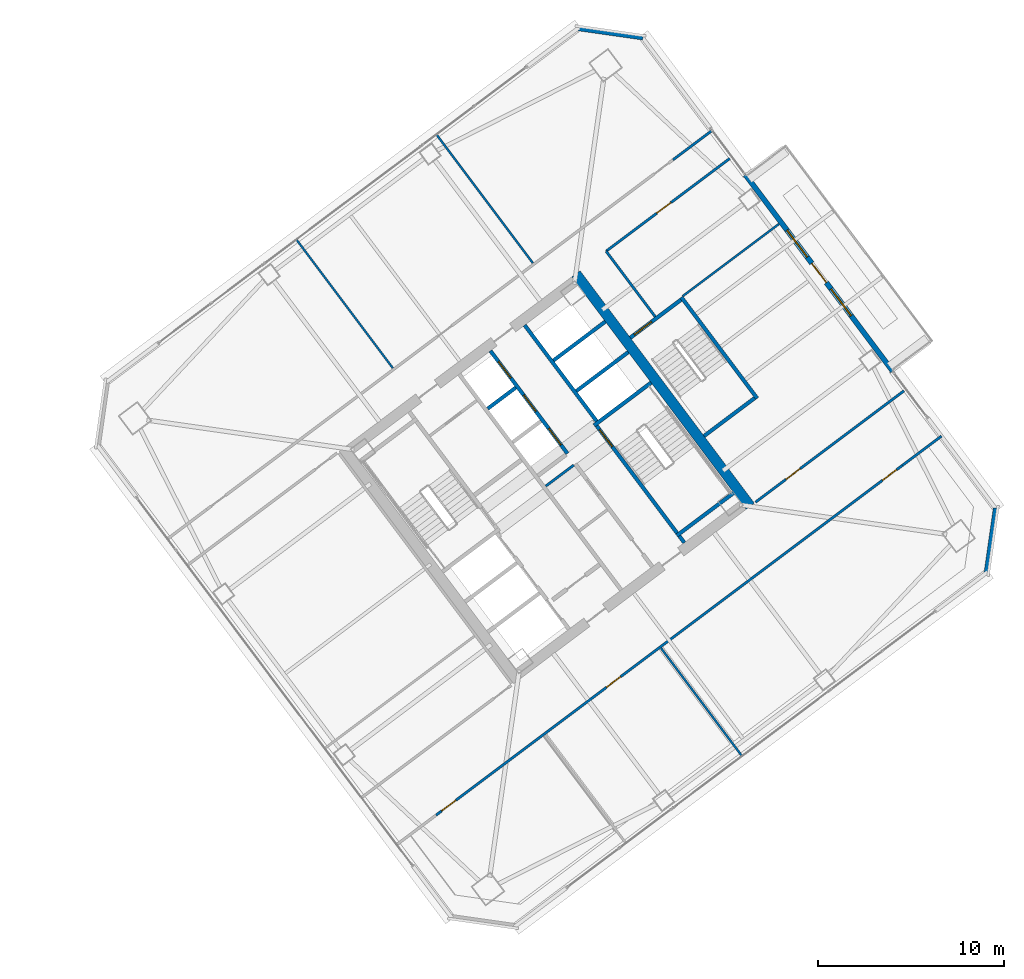
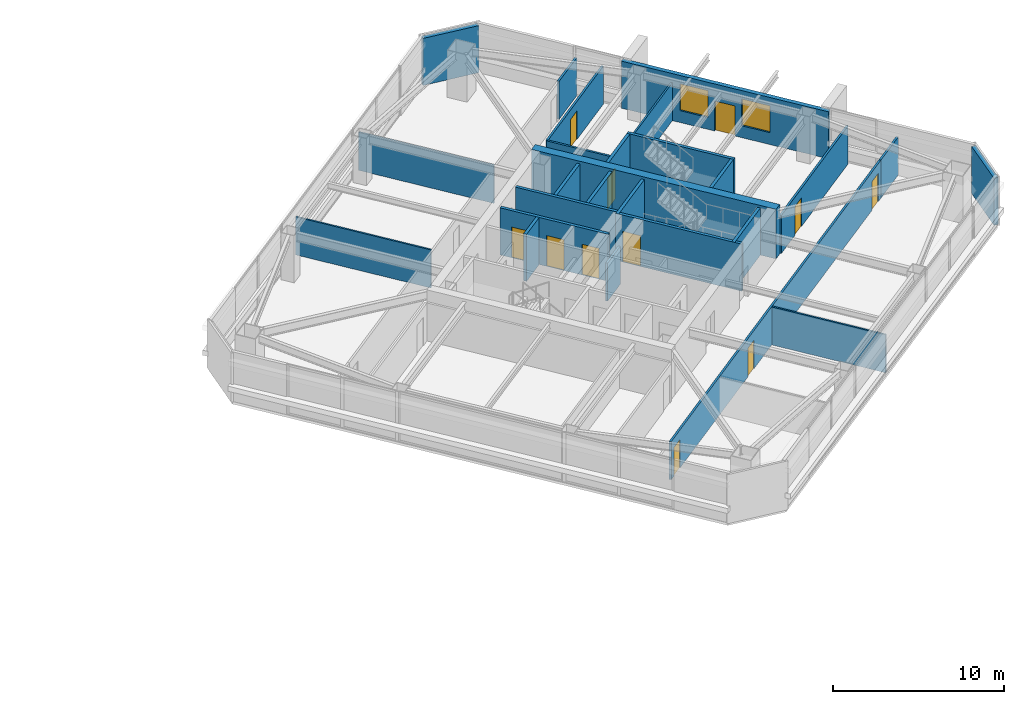
# One storey, part 37 of 44: 26 walls, 11 doors, 2 windows, 13 openings.
"""IFC4 building model written with IfcOpenShell, lengths in metres."""

from ifc_helpers import new_model, si_unit, direction, frame, frame_2d, origin, place, context, subcontext, project, spatial, rectangle, extrude, material, layer, layer_set, type_object, element, fill, save


model = new_model("IFC4")

# Units and contexts
model_context = context("Model", 3, precision=1e-05, world=origin(), true_north=direction((0.0, 1.0)))
body_context = subcontext(model_context, "Body", "Model", "MODEL_VIEW")
ifc_project = project(units=[si_unit("LENGTHUNIT", "METRE"), si_unit("AREAUNIT", "SQUARE_METRE"), si_unit("VOLUMEUNIT", "CUBIC_METRE"), si_unit("PLANEANGLEUNIT", "RADIAN"), si_unit("MASSUNIT", "GRAM", prefix="KILO")], contexts=[model_context])

# Site, building, storey
site_placement = place(None, origin())
site = spatial("IfcSite", under=ifc_project, at=site_placement, CompositionType="ELEMENT")
building_placement = place(site_placement, origin())
building = spatial("IfcBuilding", under=site, at=building_placement, Name="Tashvorn Skyway Center", CompositionType="ELEMENT")
storey_placement = place(building_placement, frame((0.0, 0.0, 149.89990234375)))
storey = spatial("IfcBuildingStorey", under=building, at=storey_placement, Name="L40", CompositionType="ELEMENT", Elevation=149.89990234375)

# Wall
ifc_material_1 = material(Name="Concrete C60/75", Category="concrete")
ifc_layer_1 = layer(ifc_material_1, 0.550048828125)
ifc_layer_set_1 = layer_set([ifc_layer_1], Name="Concrete C60/75")
wall_type_1 = type_object("IfcWallType", Name="WALL-CORE-550", PredefinedType="SHEAR", material=ifc_layer_set_1)
wall_1_placement = place(storey_placement, frame((115.56396484375, 42.923095703125, 0.0), z_axis=(0.0, 0.0, 1.0), x_axis=(0.600005007985, -0.799996243986, 0.0)))
element("IfcWall", 1, at=wall_1_placement, inside=storey, type_object=wall_type_1, Name="Tower 2 L40 East Core Shear Wall", PredefinedType="SHEAR", context=body_context, shape_type="SweptSolid", body=[
    extrude(rectangle(XDim=15.60009765625, YDim=0.550048828125, at=frame_2d((7.800048828125, 0.0))), origin(), (0.0, 0.0, 1.0), 3.550048828125),
])

# Wall, openings, door, windows
ifc_material_2 = material(Name="Precast concrete C40/50", Category="concrete")
ifc_layer_2 = layer(ifc_material_2, 0.280029296875)
ifc_layer_set_2 = layer_set([ifc_layer_2], Name="Precast concrete C40/50")
wall_type_2 = type_object("IfcWallType", Name="WALL-EXT-280", PredefinedType="SOLIDWALL", material=ifc_layer_set_2)
wall_2_placement = place(storey_placement, frame((124.6640625, 48.248046875, 0.0), z_axis=(0.0, 0.0, 1.0), x_axis=(0.599994081423, -0.800004438899, 0.0)))
wall_2 = element("IfcWall", 2, at=wall_2_placement, inside=storey, type_object=wall_type_2, Name="Tower 2 L40 East Sky Garden Loggia Wall", PredefinedType="SOLIDWALL", context=body_context, shape_type="SweptSolid", body=[
    extrude(rectangle(XDim=13.199951171875, YDim=0.280029296875, at=frame_2d((6.60009765625, 0.0))), origin(), (0.0, 0.0, 1.0), 3.3701171875),
])
opening_1_placement = place(wall_2_placement, frame((5.949951171875, 0.0, 0.0)))
opening_1 = element("IfcOpeningElement", 3, at=opening_1_placement, cuts=wall_2, Name="Opening D-TER-1300", PredefinedType="OPENING", context=body_context, shape_type="SweptSolid", body=[
    extrude(rectangle(XDim=1.300048828125, YDim=2.14990234375, at=frame_2d((0.64990234375, 1.074951171875))), frame((0.0, 0.14990234375, 0.0), z_axis=(0.0, -1.0, 0.0), x_axis=(1.0, 0.0, 0.0)), (0.0, 0.0, 1.0), 0.300048828125),
])
opening_2_placement = place(wall_2_placement, frame((3.73193359375, 0.0, 0.85009765625)))
opening_2 = element("IfcOpeningElement", 4, at=opening_2_placement, cuts=wall_2, Name="Opening WIN-1800", PredefinedType="OPENING", context=body_context, shape_type="SweptSolid", body=[
    extrude(rectangle(XDim=1.800048828125, YDim=1.919921875, at=frame_2d((0.89990234375, 0.9599609375))), frame((0.0, 0.14990234375, 0.0), z_axis=(0.0, -1.0, 0.0), x_axis=(1.0, 0.0, 0.0)), (0.0, 0.0, 1.0), 0.300048828125),
])
opening_3_placement = place(wall_2_placement, frame((7.66796875, 0.0, 0.85009765625)))
opening_3 = element("IfcOpeningElement", 5, at=opening_3_placement, cuts=wall_2, Name="Opening WIN-1800", PredefinedType="OPENING", context=body_context, shape_type="SweptSolid", body=[
    extrude(rectangle(XDim=1.800048828125, YDim=1.919921875, at=frame_2d((0.89990234375, 0.9599609375))), frame((0.0, 0.14990234375, 0.0), z_axis=(0.0, -1.0, 0.0), x_axis=(1.0, 0.0, 0.0)), (0.0, 0.0, 1.0), 0.300048828125),
])
ifc_material_3 = material(Name="Thermally broken bronze-anodized aluminium 6063-T6", Category="aluminium")
door_type_1 = type_object("IfcDoorType", Name="DOOR-TERR-1300", OperationType="NOTDEFINED", PredefinedType="DOOR", material=ifc_material_3)
door_1_placement = place(opening_1_placement, origin())
door_1 = element("IfcDoor", 6, at=door_1_placement, inside=storey, type_object=door_type_1, Name="Tower 2 L40 Sky Garden Access Door", OperationType="SINGLE_SWING_LEFT", OverallHeight=2.14990234375, OverallWidth=1.300048828125, PredefinedType="DOOR", context=body_context, shape_type="SweptSolid", body=[
    extrude(rectangle(XDim=1.300048828125, YDim=2.14990234375, at=frame_2d((0.64990234375, 1.074951171875))), frame((0.0, 0.02490234375, 0.0), z_axis=(0.0, -1.0, 0.0), x_axis=(1.0, 0.0, 0.0)), (0.0, 0.0, 1.0), 0.050048828125),
])
fill(opening_1, door_1)
ifc_material_4 = material(Name="Low-E solar-control double insulating safety glass", Category="glass")
window_type = type_object("IfcWindowType", Name="WIN-TERR-1800", PartitioningType="SINGLE_PANEL", PredefinedType="WINDOW", material=ifc_material_4)
window_1_placement = place(opening_2_placement, origin())
window_1 = element("IfcWindow", 7, at=window_1_placement, inside=storey, type_object=window_type, Name="Tower 2 L40 Sky Garden Window", OverallHeight=1.919921875, OverallWidth=1.800048828125, PartitioningType="SINGLE_PANEL", PredefinedType="WINDOW", context=body_context, shape_type="SweptSolid", body=[
    extrude(rectangle(XDim=1.800048828125, YDim=1.919921875, at=frame_2d((0.89990234375, 0.9599609375))), frame((0.0, 0.030029296875, 0.0), z_axis=(0.0, -1.0, 0.0), x_axis=(1.0, 0.0, 0.0)), (0.0, 0.0, 1.0), 0.06005859375),
])
fill(opening_2, window_1)
window_2_placement = place(opening_3_placement, origin())
window_2 = element("IfcWindow", 8, at=window_2_placement, inside=storey, type_object=window_type, Name="Tower 2 L40 Sky Garden Second Window", OverallHeight=1.919921875, OverallWidth=1.800048828125, PartitioningType="SINGLE_PANEL", PredefinedType="WINDOW", context=body_context, shape_type="SweptSolid", body=[
    extrude(rectangle(XDim=1.800048828125, YDim=1.919921875, at=frame_2d((0.89990234375, 0.9599609375))), frame((0.0, 0.030029296875, 0.0), z_axis=(0.0, -1.0, 0.0), x_axis=(1.0, 0.0, 0.0)), (0.0, 0.0, 1.0), 0.06005859375),
])
fill(opening_3, window_2)

# Walls
for number, where, z_axis, x_axis, name in (
    (9, (115.659912109375, 56.1201171875, 0.0), (0.0, 0.0, 1.0), (0.989949493661, -0.141421356237, 0.0), "Tower 2 L40 NE Precast Chamfer Wall"),
    (10, (138.1201171875, 30.340087890625, 0.0), (0.0, 0.0, 1.0), (-0.141421356237, -0.989949493661, 0.0), "Tower 2 L40 SE Precast Chamfer Wall"),
):
    element("IfcWall", number, at=place(storey_placement, frame(where, z_axis=z_axis, x_axis=x_axis)), inside=storey, type_object=wall_type_2, Name=name, PredefinedType="SOLIDWALL", context=body_context, shape_type="SweptSolid", body=[
        extrude(rectangle(XDim=3.53564453125, YDim=0.280029296875, at=frame_2d((1.767822265625, 0.0))), origin(), (0.0, 0.0, 1.0), 3.3701171875),
    ])
ifc_material_5 = material(Name="Gypsum board on cold-formed steel stud framing", Category="steel")
ifc_layer_3 = layer(ifc_material_5, 0.110107421875)
ifc_layer_set_3 = layer_set([ifc_layer_3], Name="Gypsum board on cold-formed steel stud framing")
wall_type_3 = type_object("IfcWallType", Name="WALL-PART-110", PredefinedType="PARTITIONING", material=ifc_layer_set_3)
wall_3_placement = place(storey_placement, frame((105.72998046875, 37.860107421875, 0.0), z_axis=(0.0, 0.0, 1.0), x_axis=(-0.600009052859, 0.799993210276, 0.0)))
element("IfcWall", 11, at=wall_3_placement, inside=storey, type_object=wall_type_3, Name="Tower 2 L40 North Suite Partition 1", PredefinedType="PARTITIONING", context=body_context, shape_type="SweptSolid", body=[
    extrude(rectangle(XDim=8.6298828125, YDim=0.110107421875, at=frame_2d((4.31494140625, 0.0))), origin(), (0.0, 0.0, 1.0), 2.72314453125),
])
wall_4_placement = place(storey_placement, frame((113.25, 43.5, 0.0), z_axis=(0.0, 0.0, 1.0), x_axis=(-0.599995473644, 0.800003394747, 0.0)))
element("IfcWall", 12, at=wall_4_placement, inside=storey, type_object=wall_type_3, Name="Tower 2 L40 North Suite Partition 2", PredefinedType="PARTITIONING", context=body_context, shape_type="SweptSolid", body=[
    extrude(rectangle(XDim=8.630126953125, YDim=0.110107421875, at=frame_2d((4.31494140625, 0.0))), origin(), (0.0, 0.0, 1.0), 2.72314453125),
])
wall_5_placement = place(storey_placement, frame((124.488037109375, 17.01611328125, 0.0), z_axis=(0.0, 0.0, 1.0), x_axis=(-0.600021551797, 0.799983835699, 0.0)))
element("IfcWall", 13, at=wall_5_placement, inside=storey, type_object=wall_type_3, Name="Tower 2 L40 South Suite Partition 2", PredefinedType="PARTITIONING", context=body_context, shape_type="SweptSolid", body=[
    extrude(rectangle(XDim=7.25, YDim=0.110107421875, at=frame_2d((3.625, 0.0))), origin(), (0.0, 0.0, 1.0), 2.72314453125),
])
wall_6_placement = place(storey_placement, frame((126.464111328125, 45.597900390625, 0.0), z_axis=(0.0, 0.0, 1.0), x_axis=(-0.8000181681, -0.599975775102, 0.0)))
element("IfcWall", 14, at=wall_6_placement, inside=storey, type_object=wall_type_3, Name="Tower 2 L40 East Suite Partition 1", PredefinedType="PARTITIONING", context=body_context, shape_type="SweptSolid", body=[
    extrude(rectangle(XDim=6.449951171875, YDim=0.110107421875, at=frame_2d((3.22509765625, 0.0))), origin(), (0.0, 0.0, 1.0), 2.72314453125),
])
ifc_layer_4 = layer(ifc_material_5, 0.135009765625)
ifc_layer_set_4 = layer_set([ifc_layer_4], Name="Gypsum board on cold-formed steel stud framing")
wall_type_4 = type_object("IfcWallType", Name="WALL-PART-135", PredefinedType="PARTITIONING", material=ifc_layer_set_4)
wall_7_placement = place(storey_placement, frame((119.823974609375, 40.617919921875, 0.0), z_axis=(0.0, 0.0, 1.0), x_axis=(-0.599982243973, 0.800013316712, 0.0)))
element("IfcWall", 15, at=wall_7_placement, inside=storey, type_object=wall_type_4, Name="Tower 2 L40 Stair 3 Access Corridor Wall", PredefinedType="PARTITIONING", context=body_context, shape_type="SweptSolid", body=[
    extrude(rectangle(XDim=4.39990234375, YDim=0.135009765625, at=frame_2d((2.199951171875, 0.0))), origin(), (0.0, 0.0, 1.0), 2.72314453125),
])
wall_8_placement = place(storey_placement, frame((120.778076171875, 49.0458984375, 0.0), z_axis=(0.0, 0.0, 1.0), x_axis=(0.799977721118, 0.600029704027, 0.0)))
element("IfcWall", 16, at=wall_8_placement, inside=storey, type_object=wall_type_4, Name="Tower 2 L40 North-East Suite South Wall", PredefinedType="PARTITIONING", context=body_context, shape_type="SweptSolid", body=[
    extrude(rectangle(XDim=2.630126953125, YDim=0.135009765625, at=frame_2d((1.31494140625, 0.0))), origin(), (0.0, 0.0, 1.0), 2.72314453125),
])

# Wall, openings, doors
wall_9_placement = place(storey_placement, frame((133.090087890625, 32.6298828125, 0.0), z_axis=(0.0, 0.0, 1.0), x_axis=(-0.800003744006, -0.59999500796, 0.0)))
wall_9 = element("IfcWall", 17, at=wall_9_placement, inside=storey, type_object=wall_type_4, Name="Tower 2 L40 South Suite Wall", PredefinedType="PARTITIONING", context=body_context, shape_type="SweptSolid", body=[
    extrude(rectangle(XDim=31.2998046875, YDim=0.135009765625, at=frame_2d((15.64990234375, 0.0))), origin(), (0.0, 0.0, 1.0), 2.72314453125),
])
opening_4_placement = place(wall_9_placement, frame((29.969970703125, 0.0, 0.0)))
opening_4 = element("IfcOpeningElement", 18, at=opening_4_placement, cuts=wall_9, Name="Opening D-INT-950", PredefinedType="OPENING", context=body_context, shape_type="SweptSolid", body=[
    extrude(rectangle(XDim=0.949951171875, YDim=2.050048828125, at=frame_2d((0.47509765625, 1.02490234375))), frame((0.0, 0.077392578125, 0.0), z_axis=(0.0, -1.0, 0.0), x_axis=(1.0, 0.0, 0.0)), (0.0, 0.0, 1.0), 0.155029296875),
])
opening_5_placement = place(wall_9_placement, frame((18.913818359375, 0.0, 0.0)))
opening_5 = element("IfcOpeningElement", 19, at=opening_5_placement, cuts=wall_9, Name="Opening D-INT-950", PredefinedType="OPENING", context=body_context, shape_type="SweptSolid", body=[
    extrude(rectangle(XDim=0.949951171875, YDim=2.050048828125, at=frame_2d((0.47509765625, 1.02490234375))), frame((0.0, 0.077392578125, 0.0), z_axis=(0.0, -1.0, 0.0), x_axis=(1.0, 0.0, 0.0)), (0.0, 0.0, 1.0), 0.155029296875),
])
opening_6_placement = place(wall_9_placement, frame((0.3798828125, 0.0, 0.0)))
opening_6 = element("IfcOpeningElement", 20, at=opening_6_placement, cuts=wall_9, Name="Opening D-INT-950", PredefinedType="OPENING", context=body_context, shape_type="SweptSolid", body=[
    extrude(rectangle(XDim=0.949951171875, YDim=2.050048828125, at=frame_2d((0.47509765625, 1.02490234375))), frame((0.0, 0.077392578125, 0.0), z_axis=(0.0, -1.0, 0.0), x_axis=(1.0, 0.0, 0.0)), (0.0, 0.0, 1.0), 0.155029296875),
])
ifc_material_6 = material(Name="Solid-core architectural oak veneer door")
door_type_2 = type_object("IfcDoorType", Name="DOOR-INT-950", OperationType="NOTDEFINED", PredefinedType="DOOR", material=ifc_material_6)
door_2_placement = place(opening_4_placement, origin())
door_2 = element("IfcDoor", 21, at=door_2_placement, inside=storey, type_object=door_type_2, Name="Tower 2 L40 Operations Control Room Door", OperationType="SINGLE_SWING_LEFT", OverallHeight=2.050048828125, OverallWidth=0.949951171875, PredefinedType="DOOR", context=body_context, shape_type="SweptSolid", body=[
    extrude(rectangle(XDim=0.949951171875, YDim=2.050048828125, at=frame_2d((0.47509765625, 1.02490234375))), frame((0.0, 0.02490234375, 0.0), z_axis=(0.0, -1.0, 0.0), x_axis=(1.0, 0.0, 0.0)), (0.0, 0.0, 1.0), 0.050048828125),
])
fill(opening_4, door_2)
door_3_placement = place(opening_5_placement, origin())
door_3 = element("IfcDoor", 22, at=door_3_placement, inside=storey, type_object=door_type_2, Name="Tower 2 L40 Corporate Office Door", OperationType="SINGLE_SWING_RIGHT", OverallHeight=2.050048828125, OverallWidth=0.949951171875, PredefinedType="DOOR", context=body_context, shape_type="SweptSolid", body=[
    extrude(rectangle(XDim=0.949951171875, YDim=2.050048828125, at=frame_2d((0.47509765625, 1.02490234375))), frame((0.0, 0.02490234375, 0.0), z_axis=(0.0, -1.0, 0.0), x_axis=(1.0, 0.0, 0.0)), (0.0, 0.0, 1.0), 0.050048828125),
])
fill(opening_5, door_3)
door_4_placement = place(opening_6_placement, origin())
door_4 = element("IfcDoor", 23, at=door_4_placement, inside=storey, type_object=door_type_2, Name="Tower 2 L40 Corporate Office Door", OperationType="SINGLE_SWING_LEFT", OverallHeight=2.050048828125, OverallWidth=0.949951171875, PredefinedType="DOOR", context=body_context, shape_type="SweptSolid", body=[
    extrude(rectangle(XDim=0.949951171875, YDim=2.050048828125, at=frame_2d((0.47509765625, 1.02490234375))), frame((0.0, 0.02490234375, 0.0), z_axis=(0.0, -1.0, 0.0), x_axis=(1.0, 0.0, 0.0)), (0.0, 0.0, 1.0), 0.050048828125),
])
fill(opening_6, door_4)

# Wall
wall_10_placement = place(storey_placement, frame((133.090087890625, 32.6298828125, 0.0), z_axis=(0.0, 0.0, 1.0), x_axis=(0.799977721118, 0.600029704027, 0.0)))
element("IfcWall", 24, at=wall_10_placement, inside=storey, type_object=wall_type_4, Name="Tower 2 L40 South-East Suite North Wall", PredefinedType="PARTITIONING", context=body_context, shape_type="SweptSolid", body=[
    extrude(rectangle(XDim=2.630126953125, YDim=0.135009765625, at=frame_2d((1.31494140625, 0.0))), origin(), (0.0, 0.0, 1.0), 2.72314453125),
])

# Wall, opening, door
wall_11_placement = place(storey_placement, frame((123.823974609375, 49.117919921875, 0.0), z_axis=(0.0, 0.0, 1.0), x_axis=(-0.799996470201, -0.60000470637, 0.0)))
wall_11 = element("IfcWall", 25, at=wall_11_placement, inside=storey, type_object=wall_type_4, Name="Tower 2 L40 East Suite North Wall", PredefinedType="PARTITIONING", context=body_context, shape_type="SweptSolid", body=[
    extrude(rectangle(XDim=8.2998046875, YDim=0.135009765625, at=frame_2d((4.14990234375, 0.0))), origin(), (0.0, 0.0, 1.0), 2.72314453125),
])
opening_7_placement = place(wall_11_placement, frame((3.949951171875, 0.0, 0.0)))
opening_7 = element("IfcOpeningElement", 26, at=opening_7_placement, cuts=wall_11, Name="Opening D-INT-950", PredefinedType="OPENING", context=body_context, shape_type="SweptSolid", body=[
    extrude(rectangle(XDim=0.949951171875, YDim=2.050048828125, at=frame_2d((0.47509765625, 1.02490234375))), frame((0.0, 0.077392578125, 0.0), z_axis=(0.0, -1.0, 0.0), x_axis=(1.0, 0.0, 0.0)), (0.0, 0.0, 1.0), 0.155029296875),
])
door_5_placement = place(opening_7_placement, origin())
door_5 = element("IfcDoor", 27, at=door_5_placement, inside=storey, type_object=door_type_2, Name="Tower 2 L40 Wellness Clinic Door", OperationType="SINGLE_SWING_RIGHT", OverallHeight=2.050048828125, OverallWidth=0.949951171875, PredefinedType="DOOR", context=body_context, shape_type="SweptSolid", body=[
    extrude(rectangle(XDim=0.949951171875, YDim=2.050048828125, at=frame_2d((0.47509765625, 1.02490234375))), frame((0.0, 0.02490234375, 0.0), z_axis=(0.0, -1.0, 0.0), x_axis=(1.0, 0.0, 0.0)), (0.0, 0.0, 1.0), 0.050048828125),
])
fill(opening_7, door_5)

wall_12_placement = place(storey_placement, frame((125.2080078125, 30.656005859375, 0.0), z_axis=(0.0, 0.0, 1.0), x_axis=(0.800005876956, 0.599992163979, 0.0)))
wall_12 = element("IfcWall", 28, at=wall_12_placement, inside=storey, type_object=wall_type_4, Name="Tower 2 L40 East Suite South Wall", PredefinedType="PARTITIONING", context=body_context, shape_type="SweptSolid", body=[
    extrude(rectangle(XDim=9.969970703125, YDim=0.135009765625, at=frame_2d((4.98486328125, 0.0))), origin(), (0.0, 0.0, 1.0), 2.72314453125),
])
opening_8_placement = place(wall_12_placement, frame((2.044921875, 0.0, 0.0)))
opening_8 = element("IfcOpeningElement", 29, at=opening_8_placement, cuts=wall_12, Name="Opening D-INT-950", PredefinedType="OPENING", context=body_context, shape_type="SweptSolid", body=[
    extrude(rectangle(XDim=0.949951171875, YDim=2.050048828125, at=frame_2d((0.47509765625, 1.02490234375))), frame((0.0, 0.077392578125, 0.0), z_axis=(0.0, -1.0, 0.0), x_axis=(1.0, 0.0, 0.0)), (0.0, 0.0, 1.0), 0.155029296875),
])
door_6_placement = place(opening_8_placement, origin())
door_6 = element("IfcDoor", 30, at=door_6_placement, inside=storey, type_object=door_type_2, Name="Tower 2 L40 Public Restroom Door", OperationType="SINGLE_SWING_LEFT", OverallHeight=2.050048828125, OverallWidth=0.949951171875, PredefinedType="DOOR", context=body_context, shape_type="SweptSolid", body=[
    extrude(rectangle(XDim=0.949951171875, YDim=2.050048828125, at=frame_2d((0.47509765625, 1.02490234375))), frame((0.0, 0.02490234375, 0.0), z_axis=(0.0, -1.0, 0.0), x_axis=(1.0, 0.0, 0.0)), (0.0, 0.0, 1.0), 0.050048828125),
])
fill(opening_8, door_6)

# Walls
ifc_layer_5 = layer(ifc_material_5, 0.135009765625)
ifc_layer_set_5 = layer_set([ifc_layer_5], Name="Gypsum board on cold-formed steel stud framing")
wall_type_5 = type_object("IfcWallType", Name="WALL-RATED-135", PredefinedType="PARTITIONING", material=ifc_layer_set_5)
wall_13_placement = place(storey_placement, frame((113.946044921875, 31.52197265625, 0.0), z_axis=(0.0, 0.0, 1.0), x_axis=(0.8, 0.6, 0.0)))
element("IfcWall", 31, at=wall_13_placement, inside=storey, type_object=wall_type_5, Name="Tower 2 L40 Core Room Partition", PredefinedType="PARTITIONING", context=body_context, shape_type="SweptSolid", body=[
    extrude(rectangle(XDim=1.8798828125, YDim=0.135009765625, at=frame_2d((0.93994140625, 0.0))), origin(), (0.0, 0.0, 1.0), 2.72314453125),
])
ifc_material_7 = material(Name="Concrete C40/50", Category="concrete")
ifc_layer_6 = layer(ifc_material_7, 0.199951171875)
ifc_layer_set_6 = layer_set([ifc_layer_6], Name="Concrete C40/50")
wall_type_6 = type_object("IfcWallType", Name="WALL-SHAFT-200", PredefinedType="SOLIDWALL", material=ifc_layer_set_6)
for number, where, z_axis, x_axis, name in (
    (32, (115.590087890625, 36.6298828125, 0.0), (0.0, 0.0, 1.0), (0.799974743577, 0.600033673754, 0.0), "Tower 2 L40 High-Rise Shaft Divider"),
    (33, (114.360107421875, 38.27001953125, 0.0), (0.0, 0.0, 1.0), (0.800008418847, 0.599988774707, 0.0), "Tower 2 L40 High-Rise Shaft Divider"),
):
    element("IfcWall", number, at=place(storey_placement, frame(where, z_axis=z_axis, x_axis=x_axis)), inside=storey, type_object=wall_type_6, Name=name, PredefinedType="SOLIDWALL", context=body_context, shape_type="SweptSolid", body=[
        extrude(rectangle(XDim=3.47998046875, YDim=0.199951171875, at=frame_2d((1.739990234375, 0.0))), origin(), (0.0, 0.0, 1.0), 3.3701171875),
    ])

# Wall, openings, doors
wall_14_placement = place(storey_placement, frame((115.110107421875, 33.27001953125, 0.0), z_axis=(0.0, 0.0, 1.0), x_axis=(-0.600011322243, 0.799991508192, 0.0)))
wall_14 = element("IfcWall", 34, at=wall_14_placement, inside=storey, type_object=wall_type_6, Name="Tower 2 L40 Mid-Rise Core Wall", PredefinedType="SOLIDWALL", context=body_context, shape_type="SweptSolid", body=[
    extrude(rectangle(XDim=6.900146484375, YDim=0.199951171875, at=frame_2d((3.4501953125, 0.0))), origin(), (0.0, 0.0, 1.0), 3.3701171875),
])
opening_9_placement = place(wall_14_placement, frame((0.574951171875, 0.0, 0.0)))
opening_9 = element("IfcOpeningElement", 35, at=opening_9_placement, cuts=wall_14, Name="Opening LD-MR-T2-1-L40", PredefinedType="OPENING", context=body_context, shape_type="SweptSolid", body=[
    extrude(rectangle(XDim=1.10009765625, YDim=2.199951171875, at=frame_2d((0.550048828125, 1.10009765625))), frame((0.0, 0.10986328125, 0.0), z_axis=(0.0, -1.0, 0.0), x_axis=(1.0, 0.0, 0.0)), (0.0, 0.0, 1.0), 0.219970703125),
])
opening_10_placement = place(wall_14_placement, frame((2.824951171875, 0.0, 0.0)))
opening_10 = element("IfcOpeningElement", 36, at=opening_10_placement, cuts=wall_14, Name="Opening LD-MR-T2-2-L40", PredefinedType="OPENING", context=body_context, shape_type="SweptSolid", body=[
    extrude(rectangle(XDim=1.10009765625, YDim=2.199951171875, at=frame_2d((0.550048828125, 1.10009765625))), frame((0.0, 0.10986328125, 0.0), z_axis=(0.0, -1.0, 0.0), x_axis=(1.0, 0.0, 0.0)), (0.0, 0.0, 1.0), 0.219970703125),
])
opening_11_placement = place(wall_14_placement, frame((5.074951171875, 0.0, 0.0)))
opening_11 = element("IfcOpeningElement", 37, at=opening_11_placement, cuts=wall_14, Name="Opening LD-MR-T2-3-L40", PredefinedType="OPENING", context=body_context, shape_type="SweptSolid", body=[
    extrude(rectangle(XDim=1.10009765625, YDim=2.199951171875, at=frame_2d((0.550048828125, 1.10009765625))), frame((0.0, 0.10986328125, 0.0), z_axis=(0.0, -1.0, 0.0), x_axis=(1.0, 0.0, 0.0)), (0.0, 0.0, 1.0), 0.219970703125),
])
ifc_material_8 = material(Name="Stainless steel landing door", Category="steel")
door_type_3 = type_object("IfcDoorType", Name="DOOR-LIFT-1100", OperationType="SLIDING_TO_LEFT", PredefinedType="DOOR", material=ifc_material_8)
door_7_placement = place(opening_9_placement, origin())
door_7 = element("IfcDoor", 38, at=door_7_placement, inside=storey, type_object=door_type_3, Name="Lift MR-T2-1 L40 Landing Door", OperationType="SLIDING_TO_LEFT", OverallHeight=2.199951171875, OverallWidth=1.10009765625, PredefinedType="DOOR", context=body_context, shape_type="SweptSolid", body=[
    extrude(rectangle(XDim=1.10009765625, YDim=2.199951171875, at=frame_2d((0.550048828125, 1.10009765625))), frame((0.0, 0.02490234375, 0.0), z_axis=(0.0, -1.0, 0.0), x_axis=(1.0, 0.0, 0.0)), (0.0, 0.0, 1.0), 0.050048828125),
])
fill(opening_9, door_7)
door_8_placement = place(opening_10_placement, origin())
door_8 = element("IfcDoor", 39, at=door_8_placement, inside=storey, type_object=door_type_3, Name="Lift MR-T2-2 L40 Landing Door", OperationType="SLIDING_TO_LEFT", OverallHeight=2.199951171875, OverallWidth=1.10009765625, PredefinedType="DOOR", context=body_context, shape_type="SweptSolid", body=[
    extrude(rectangle(XDim=1.10009765625, YDim=2.199951171875, at=frame_2d((0.550048828125, 1.10009765625))), frame((0.0, 0.02490234375, 0.0), z_axis=(0.0, -1.0, 0.0), x_axis=(1.0, 0.0, 0.0)), (0.0, 0.0, 1.0), 0.050048828125),
])
fill(opening_10, door_8)
door_9_placement = place(opening_11_placement, origin())
door_9 = element("IfcDoor", 40, at=door_9_placement, inside=storey, type_object=door_type_3, Name="Lift MR-T2-3 L40 Landing Door", OperationType="SLIDING_TO_LEFT", OverallHeight=2.199951171875, OverallWidth=1.10009765625, PredefinedType="DOOR", context=body_context, shape_type="SweptSolid", body=[
    extrude(rectangle(XDim=1.10009765625, YDim=2.199951171875, at=frame_2d((0.550048828125, 1.10009765625))), frame((0.0, 0.02490234375, 0.0), z_axis=(0.0, -1.0, 0.0), x_axis=(1.0, 0.0, 0.0)), (0.0, 0.0, 1.0), 0.050048828125),
])
fill(opening_11, door_9)

# Wall
wall_15_placement = place(storey_placement, frame((110.825927734375, 35.681884765625, 0.0), z_axis=(0.0, 0.0, 1.0), x_axis=(0.799984418148, 0.600020775241, 0.0)))
element("IfcWall", 41, at=wall_15_placement, inside=storey, type_object=wall_type_6, Name="Tower 2 L40 Mid-Rise Shaft Divider", PredefinedType="SOLIDWALL", context=body_context, shape_type="SweptSolid", body=[
    extrude(rectangle(XDim=1.880126953125, YDim=0.199951171875, at=frame_2d((0.93994140625, 0.0))), origin(), (0.0, 0.0, 1.0), 3.3701171875),
])

# Wall, opening, door
ifc_layer_7 = layer(ifc_material_7, 0.199951171875)
ifc_layer_set_7 = layer_set([ifc_layer_7], Name="Concrete C40/50")
wall_type_7 = type_object("IfcWallType", Name="WALL-STSHF-200", PredefinedType="SHEAR", material=ifc_layer_set_7)
wall_16_placement = place(storey_placement, frame((116.56005859375, 34.919921875, 0.0), z_axis=(0.0, 0.0, 1.0), x_axis=(0.59999029481, -0.8000072788, 0.0)))
wall_16 = element("IfcWall", 42, at=wall_16_placement, inside=storey, type_object=wall_type_7, Name="Tower 2 L40 Stair 2 Enclosure Wall", PredefinedType="SHEAR", context=body_context, shape_type="SweptSolid", body=[
    extrude(rectangle(XDim=8.0498046875, YDim=0.199951171875, at=frame_2d((4.02490234375, 0.0))), origin(), (0.0, 0.0, 1.0), 3.3701171875),
])
opening_12_placement = place(wall_16_placement, frame((0.449951171875, 0.0, 0.0)))
opening_12 = element("IfcOpeningElement", 43, at=opening_12_placement, cuts=wall_16, Name="Opening D-ST-1150", PredefinedType="OPENING", context=body_context, shape_type="SweptSolid", body=[
    extrude(rectangle(XDim=1.14990234375, YDim=2.199951171875, at=frame_2d((0.574951171875, 1.10009765625))), frame((0.0, 0.10986328125, 0.0), z_axis=(0.0, -1.0, 0.0), x_axis=(1.0, 0.0, 0.0)), (0.0, 0.0, 1.0), 0.219970703125),
])
ifc_material_9 = material(Name="Hollow galvanized steel fire door assembly", Category="steel")
door_type_4 = type_object("IfcDoorType", Name="DOOR-STAIR-1150", OperationType="NOTDEFINED", PredefinedType="DOOR", material=ifc_material_9)
door_10_placement = place(opening_12_placement, origin())
door_10 = element("IfcDoor", 44, at=door_10_placement, inside=storey, type_object=door_type_4, Name="Tower 2 L40 Exit Stair 2 Door", OperationType="SINGLE_SWING_RIGHT", OverallHeight=2.199951171875, OverallWidth=1.14990234375, PredefinedType="DOOR", context=body_context, shape_type="SweptSolid", body=[
    extrude(rectangle(XDim=1.14990234375, YDim=2.199951171875, at=frame_2d((0.574951171875, 1.10009765625))), frame((0.0, 0.02490234375, 0.0), z_axis=(0.0, -1.0, 0.0), x_axis=(1.0, 0.0, 0.0)), (0.0, 0.0, 1.0), 0.050048828125),
])
fill(opening_12, door_10)

# Walls
for number, where, z_axis, x_axis, name in (
    (45, (116.5400390625, 34.780029296875, 0.0), (0.0, 0.0, 1.0), (0.800015298837, 0.599979601008, 0.0), "Tower 2 L40 Stair 2 North Wall"),
    (46, (120.97998046875, 28.860107421875, 0.0), (0.0, 0.0, 1.0), (0.800015298837, 0.599979601008, 0.0), "Tower 2 L40 Stair 2 South Wall"),
):
    element("IfcWall", number, at=place(storey_placement, frame(where, z_axis=z_axis, x_axis=x_axis)), inside=storey, type_object=wall_type_7, Name=name, PredefinedType="SHEAR", context=body_context, shape_type="SweptSolid", body=[
        extrude(rectangle(XDim=3.829833984375, YDim=0.199951171875, at=frame_2d((1.9150390625, 0.0))), origin(), (0.0, 0.0, 1.0), 3.3701171875),
    ])
wall_17_placement = place(storey_placement, frame((112.81005859375, 40.169921875, 0.0), z_axis=(0.0, 0.0, 1.0), x_axis=(0.599993943644, -0.800004542231, 0.0)))
element("IfcWall", 47, at=wall_17_placement, inside=storey, type_object=wall_type_7, Name="Tower 2 L40 High-Rise Lift Shaft Front Wall", PredefinedType="SHEAR", context=body_context, shape_type="SweptSolid", body=[
    extrude(rectangle(XDim=6.449951171875, YDim=0.199951171875, at=frame_2d((3.22509765625, 0.0))), origin(), (0.0, 0.0, 1.0), 3.3701171875),
])
wall_18_placement = place(storey_placement, frame((125.303955078125, 36.22802734375, 0.0), z_axis=(0.0, 0.0, 1.0), x_axis=(-0.59998851072, 0.800008616831, 0.0)))
element("IfcWall", 48, at=wall_18_placement, inside=storey, type_object=wall_type_7, Name="Tower 2 L40 Stair 3 Outer Wall", PredefinedType="SHEAR", context=body_context, shape_type="SweptSolid", body=[
    extrude(rectangle(XDim=6.7998046875, YDim=0.199951171875, at=frame_2d((3.39990234375, 0.0))), origin(), (0.0, 0.0, 1.0), 3.3701171875),
])

# Wall, opening, door
wall_19_placement = place(storey_placement, frame((121.2041015625, 41.528076171875, 0.0), z_axis=(0.0, 0.0, 1.0), x_axis=(-0.800017232136, -0.599977023131, 0.0)))
wall_19 = element("IfcWall", 49, at=wall_19_placement, inside=storey, type_object=wall_type_7, Name="Tower 2 L40 Stair 3 Enclosure Wall", PredefinedType="SHEAR", context=body_context, shape_type="SweptSolid", body=[
    extrude(rectangle(XDim=3.400146484375, YDim=0.199951171875, at=frame_2d((1.7001953125, 0.0))), origin(), (0.0, 0.0, 1.0), 3.3701171875),
])
opening_13_placement = place(wall_19_placement, frame((1.97509765625, 0.0, 0.0)))
opening_13 = element("IfcOpeningElement", 50, at=opening_13_placement, cuts=wall_19, Name="Opening D-ST-1150", PredefinedType="OPENING", context=body_context, shape_type="SweptSolid", body=[
    extrude(rectangle(XDim=1.14990234375, YDim=2.199951171875, at=frame_2d((0.574951171875, 1.10009765625))), frame((0.0, 0.10986328125, 0.0), z_axis=(0.0, -1.0, 0.0), x_axis=(1.0, 0.0, 0.0)), (0.0, 0.0, 1.0), 0.219970703125),
])
door_11_placement = place(opening_13_placement, origin())
door_11 = element("IfcDoor", 51, at=door_11_placement, inside=storey, type_object=door_type_4, Name="Tower 2 L40 Exit Stair 3 Door", OperationType="SINGLE_SWING_RIGHT", OverallHeight=2.199951171875, OverallWidth=1.14990234375, PredefinedType="DOOR", context=body_context, shape_type="SweptSolid", body=[
    extrude(rectangle(XDim=1.14990234375, YDim=2.199951171875, at=frame_2d((0.574951171875, 1.10009765625))), frame((0.0, 0.02490234375, 0.0), z_axis=(0.0, -1.0, 0.0), x_axis=(1.0, 0.0, 0.0)), (0.0, 0.0, 1.0), 0.050048828125),
])
fill(opening_13, door_11)

# Wall
wall_20_placement = place(storey_placement, frame((122.444091796875, 34.2080078125, 0.0), z_axis=(0.0, 0.0, 1.0), x_axis=(0.79999138319, 0.600011488909, 0.0)))
element("IfcWall", 52, at=wall_20_placement, inside=storey, type_object=wall_type_7, Name="Tower 2 L40 Stair 3 South Wall", PredefinedType="SHEAR", context=body_context, shape_type="SweptSolid", body=[
    extrude(rectangle(XDim=3.39990234375, YDim=0.199951171875, at=frame_2d((1.699951171875, 0.0))), origin(), (0.0, 0.0, 1.0), 3.3701171875),
])

save(model, "model.ifc")
